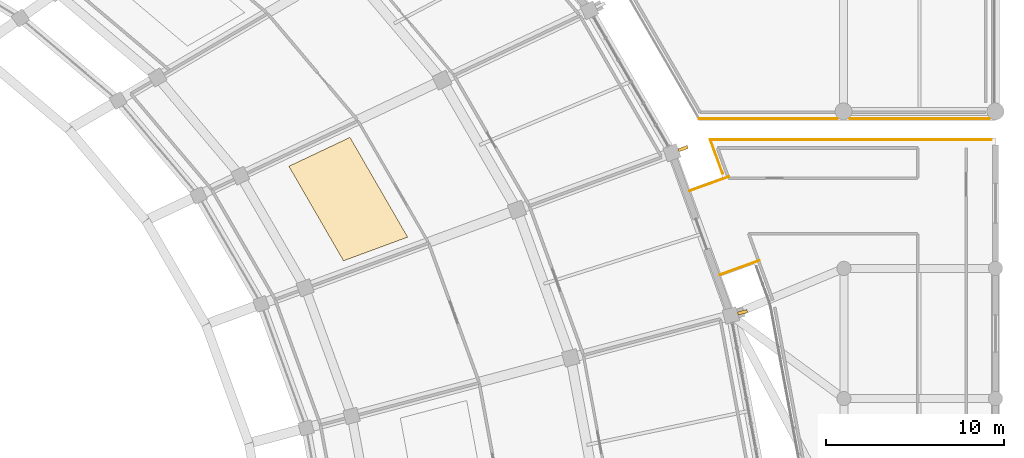
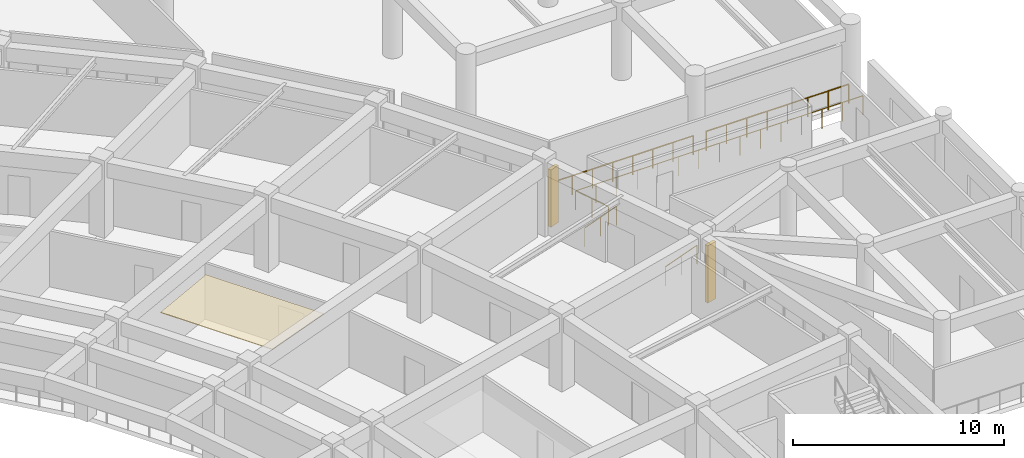
# One storey, part 135 of 145: 5 railings, 2 shading devices, 1 covering.
"""IFC4 building model written with IfcOpenShell, lengths in metres."""

from ifc_helpers import new_model, si_unit, direction, frame, origin, origin_2d, place, context, subcontext, project, spatial, polyline, rectangle, circle, outline, extrude, material, layer, layer_set, type_object, element, save


model = new_model("IFC4")

# Units and contexts
model_context = context("Model", 3, precision=1e-05, world=origin(), true_north=direction((0.0, 1.0)))
body_context = subcontext(model_context, "Body", "Model", "MODEL_VIEW")
ifc_project = project(units=[si_unit("LENGTHUNIT", "METRE"), si_unit("AREAUNIT", "SQUARE_METRE"), si_unit("VOLUMEUNIT", "CUBIC_METRE"), si_unit("PLANEANGLEUNIT", "RADIAN"), si_unit("MASSUNIT", "GRAM", prefix="KILO")], contexts=[model_context])

# Site, building, storey
site_placement = place(None, origin())
site = spatial("IfcSite", under=ifc_project, at=site_placement, CompositionType="ELEMENT")
building_placement = place(site_placement, origin())
building = spatial("IfcBuilding", under=site, at=building_placement, Name="Mphavela Belvedere Stadium", CompositionType="ELEMENT")
storey_placement = place(building_placement, frame((0.0, 0.0, 10.199951171875)))
storey = spatial("IfcBuildingStorey", under=building, at=storey_placement, Name="L02", CompositionType="ELEMENT", Elevation=10.199951171875)

# Covering
ifc_material_1 = material(Name="Perforated acoustic mineral ceiling tile")
ifc_layer = layer(ifc_material_1, 0.0400390625)
ifc_layer_set = layer_set([ifc_layer], Name="Perforated acoustic mineral ceiling tile")
covering_type = type_object("IfcCoveringType", Name="COV-CEILING-ACOUSTIC", PredefinedType="CEILING", material=ifc_layer_set)
covering_placement = place(storey_placement, frame((0.0, 0.0, 3.199951171875)))
element("IfcCovering", 1, at=covering_placement, inside=storey, type_object=covering_type, Name="Concourse acoustic ceiling L02-04", PredefinedType="CEILING", context=body_context, shape_type="SweptSolid", body=[
    extrude(outline(polyline([(193.44775390625, 116.62548828125), (190.385498046875, 121.92138671875), (193.810791015625, 123.542724609375), (197.044189453125, 117.950439453125), (193.44775390625, 116.62548828125)])), origin(), (0.0, 0.0, 1.0), 0.0400390625),
])

# Railings
ifc_material_2 = material(Name="Bronze and laminated glass stadium balustrade", Category="glass")
railing_type = type_object("IfcRailingType", Name="RAL-BALUSTRADE-1120", PredefinedType="BALUSTRADE", material=ifc_material_2)
railing_1_placement = place(storey_placement, frame((214.55078125, 115.840576171875, 0.0)))
element("IfcRailing", 2, at=railing_1_placement, inside=storey, type_object=railing_type, Name="Colonnade link bridge balustrade L02-03A", PredefinedType="BALUSTRADE", context=body_context, shape_type="SweptSolid", body=[
    extrude(circle(Radius=0.02392578125, at=origin_2d()), frame((0.0, 0.0, 1.09619140625), z_axis=(0.940078218368, 0.340958858734, 0.0), x_axis=(-0.340958858734, 0.940078218368, 0.0)), (0.0, 0.0, 1.0), 2.35009765625),
    extrude(circle(Radius=0.02099609375, at=origin_2d()), origin(), (0.0, 0.0, 1.0), 1.072021484375),
    extrude(circle(Radius=0.02099609375, at=origin_2d()), frame((1.1044921875, 0.400634765625, 0.0)), (0.0, 0.0, 1.0), 1.072021484375),
    extrude(circle(Radius=0.02099609375, at=origin_2d()), frame((2.209228515625, 0.80126953125, 0.0)), (0.0, 0.0, 1.0), 1.072021484375),
])
railing_2_placement = place(storey_placement, frame((212.845703125, 120.540771484375, 0.0)))
element("IfcRailing", 3, at=railing_2_placement, inside=storey, type_object=railing_type, Name="Colonnade link bridge balustrade L02-03B", PredefinedType="BALUSTRADE", context=body_context, shape_type="SweptSolid", body=[
    extrude(circle(Radius=0.02392578125, at=origin_2d()), frame((0.0, 0.0, 1.09619140625), z_axis=(0.940044916205, 0.341050664151, 0.0), x_axis=(-0.341050664151, 0.940044916205, 0.0)), (0.0, 0.0, 1.0), 2.35009765625),
    extrude(circle(Radius=0.02099609375, at=origin_2d()), origin(), (0.0, 0.0, 1.0), 1.072021484375),
    extrude(circle(Radius=0.02099609375, at=origin_2d()), frame((1.1044921875, 0.40087890625, 0.0)), (0.0, 0.0, 1.0), 1.072021484375),
    extrude(circle(Radius=0.02099609375, at=origin_2d()), frame((2.209228515625, 0.801513671875, 0.0)), (0.0, 0.0, 1.0), 1.072021484375),
])
railing_3_placement = place(storey_placement, frame((229.6455078125, 124.580078125, 0.0)))
element("IfcRailing", 4, at=railing_3_placement, inside=storey, type_object=railing_type, Name="Peristyle wing gallery edge balustrade L02-52", PredefinedType="BALUSTRADE", context=body_context, shape_type="SweptSolid", body=[
    extrude(circle(Radius=0.02392578125, at=origin_2d()), frame((0.0, 0.0, 1.09619140625), z_axis=(-1.0, 0.0, 0.0), x_axis=(0.0, -1.0, 0.0)), (0.0, 0.0, 1.0), 7.809814453125),
    extrude(circle(Radius=0.02099609375, at=origin_2d()), origin(), (0.0, 0.0, 1.0), 1.072021484375),
    extrude(circle(Radius=0.02099609375, at=origin_2d()), frame((-1.11572265625, 0.0, 0.0)), (0.0, 0.0, 1.0), 1.072021484375),
    extrude(circle(Radius=0.02099609375, at=origin_2d()), frame((-2.2314453125, 0.0, 0.0)), (0.0, 0.0, 1.0), 1.072021484375),
    extrude(circle(Radius=0.02099609375, at=origin_2d()), frame((-3.34716796875, 0.0, 0.0)), (0.0, 0.0, 1.0), 1.072021484375),
    extrude(circle(Radius=0.02099609375, at=origin_2d()), frame((-4.462646484375, 0.0, 0.0)), (0.0, 0.0, 1.0), 1.072021484375),
    extrude(circle(Radius=0.02099609375, at=origin_2d()), frame((-5.578369140625, 0.0, 0.0)), (0.0, 0.0, 1.0), 1.072021484375),
    extrude(circle(Radius=0.02099609375, at=origin_2d()), frame((-6.694091796875, 0.0, 0.0)), (0.0, 0.0, 1.0), 1.072021484375),
    extrude(circle(Radius=0.02099609375, at=origin_2d()), frame((-7.809814453125, 0.0, 0.0)), (0.0, 0.0, 1.0), 1.072021484375),
])
railing_4_placement = place(storey_placement, frame((221.12646484375, 124.580078125, 0.0)))
element("IfcRailing", 5, at=railing_4_placement, inside=storey, type_object=railing_type, Name="Peristyle wing gallery edge balustrade L02-53", PredefinedType="BALUSTRADE", context=body_context, shape_type="SweptSolid", body=[
    extrude(circle(Radius=0.02392578125, at=origin_2d()), frame((0.0, 0.0, 1.09619140625), z_axis=(-1.0, 0.0, 0.0), x_axis=(0.0, -1.0, 0.0)), (0.0, 0.0, 1.0), 7.73388671875),
    extrude(circle(Radius=0.02099609375, at=origin_2d()), origin(), (0.0, 0.0, 1.0), 1.072021484375),
    extrude(circle(Radius=0.02099609375, at=origin_2d()), frame((-1.104736328125, 0.0, 0.0)), (0.0, 0.0, 1.0), 1.072021484375),
    extrude(circle(Radius=0.02099609375, at=origin_2d()), frame((-2.209716796875, 0.0, 0.0)), (0.0, 0.0, 1.0), 1.072021484375),
    extrude(circle(Radius=0.02099609375, at=origin_2d()), frame((-3.314453125, 0.0, 0.0)), (0.0, 0.0, 1.0), 1.072021484375),
    extrude(circle(Radius=0.02099609375, at=origin_2d()), frame((-4.41943359375, 0.0, 0.0)), (0.0, 0.0, 1.0), 1.072021484375),
    extrude(circle(Radius=0.02099609375, at=origin_2d()), frame((-5.524169921875, 0.0, 0.0)), (0.0, 0.0, 1.0), 1.072021484375),
    extrude(circle(Radius=0.02099609375, at=origin_2d()), frame((-6.629150390625, 0.0, 0.0)), (0.0, 0.0, 1.0), 1.072021484375),
    extrude(circle(Radius=0.02099609375, at=origin_2d()), frame((-7.73388671875, 0.0, 0.0)), (0.0, 0.0, 1.0), 1.072021484375),
])
railing_5_placement = place(storey_placement, frame((214.705322265625, 121.51318359375, 0.0)))
element("IfcRailing", 6, at=railing_5_placement, inside=storey, type_object=railing_type, Name="Peristyle wing gallery edge balustrade L02-63", PredefinedType="BALUSTRADE", context=body_context, shape_type="SweptSolid", body=[
    extrude(circle(Radius=0.02392578125, at=origin_2d()), frame((0.0, 0.0, 1.09619140625), z_axis=(-0.342380499121, 0.939561383743, 0.0), x_axis=(-0.939561383743, -0.342380499121, 0.0)), (0.0, 0.0, 1.0), 2.029296875),
    extrude(circle(Radius=0.02392578125, at=origin_2d()), frame((-0.69482421875, 1.90673828125, 1.09619140625), z_axis=(1.0, 0.0, 0.0), x_axis=(0.0, 1.0, 0.0)), (0.0, 0.0, 1.0), 15.756103515625),
    extrude(circle(Radius=0.02099609375, at=origin_2d()), origin(), (0.0, 0.0, 1.0), 1.072021484375),
    extrude(circle(Radius=0.02099609375, at=origin_2d()), frame((-0.347412109375, 0.953369140625, 0.0)), (0.0, 0.0, 1.0), 1.072021484375),
    extrude(circle(Radius=0.02099609375, at=origin_2d()), frame((-0.69482421875, 1.90673828125, 0.0)), (0.0, 0.0, 1.0), 1.072021484375),
    extrude(circle(Radius=0.02099609375, at=origin_2d()), frame((0.4306640625, 1.90673828125, 0.0)), (0.0, 0.0, 1.0), 1.072021484375),
    extrude(circle(Radius=0.02099609375, at=origin_2d()), frame((1.55615234375, 1.90673828125, 0.0)), (0.0, 0.0, 1.0), 1.072021484375),
    extrude(circle(Radius=0.02099609375, at=origin_2d()), frame((2.681396484375, 1.90673828125, 0.0)), (0.0, 0.0, 1.0), 1.072021484375),
    extrude(circle(Radius=0.02099609375, at=origin_2d()), frame((3.806884765625, 1.90673828125, 0.0)), (0.0, 0.0, 1.0), 1.072021484375),
    extrude(circle(Radius=0.02099609375, at=origin_2d()), frame((4.932373046875, 1.90673828125, 0.0)), (0.0, 0.0, 1.0), 1.072021484375),
    extrude(circle(Radius=0.02099609375, at=origin_2d()), frame((6.057861328125, 1.90673828125, 0.0)), (0.0, 0.0, 1.0), 1.072021484375),
    extrude(circle(Radius=0.02099609375, at=origin_2d()), frame((7.18310546875, 1.90673828125, 0.0)), (0.0, 0.0, 1.0), 1.072021484375),
    extrude(circle(Radius=0.02099609375, at=origin_2d()), frame((8.30859375, 1.90673828125, 0.0)), (0.0, 0.0, 1.0), 1.072021484375),
    extrude(circle(Radius=0.02099609375, at=origin_2d()), frame((9.43408203125, 1.90673828125, 0.0)), (0.0, 0.0, 1.0), 1.072021484375),
    extrude(circle(Radius=0.02099609375, at=origin_2d()), frame((10.5595703125, 1.90673828125, 0.0)), (0.0, 0.0, 1.0), 1.072021484375),
    extrude(circle(Radius=0.02099609375, at=origin_2d()), frame((11.68505859375, 1.90673828125, 0.0)), (0.0, 0.0, 1.0), 1.072021484375),
    extrude(circle(Radius=0.02099609375, at=origin_2d()), frame((12.810302734375, 1.90673828125, 0.0)), (0.0, 0.0, 1.0), 1.072021484375),
    extrude(circle(Radius=0.02099609375, at=origin_2d()), frame((13.935791015625, 1.90673828125, 0.0)), (0.0, 0.0, 1.0), 1.072021484375),
    extrude(circle(Radius=0.02099609375, at=origin_2d()), frame((15.061279296875, 1.90673828125, 0.0)), (0.0, 0.0, 1.0), 1.072021484375),
])

# Shading devices
ifc_material_3 = material(Name="Honed limestone and bronze vertical brise-soleil fin", Category="masonry")
shading_device_type = type_object("IfcShadingDeviceType", Name="SHD-SOLAR-FIN", PredefinedType="USERDEFINED", material=ifc_material_3)
for number, where, z_axis, x_axis, name in (
    (7, (215.815185546875, 113.735107421875, 0.0), (0.0, 0.0, 1.0), (0.966600102017, 0.256289373133, 0.0), "Classical vertical solar brise-soleil fin L02-03"),
    (8, (212.487548828125, 122.9150390625, 0.0), (0.0, 0.0, 1.0), (0.938372433776, 0.34562577382, 0.0), "Classical vertical solar brise-soleil fin L02-04"),
):
    element("IfcShadingDevice", number, at=place(storey_placement, frame(where, z_axis=z_axis, x_axis=x_axis)), inside=storey, type_object=shading_device_type, Name=name, ObjectType="SOLAR FIN", PredefinedType="USERDEFINED", context=body_context, shape_type="SweptSolid", body=[
        extrude(rectangle(XDim=0.550048828125, YDim=0.179931640625, at=origin_2d()), origin(), (0.0, 0.0, 1.0), 3.320068359375),
    ])

save(model, "model.ifc")
